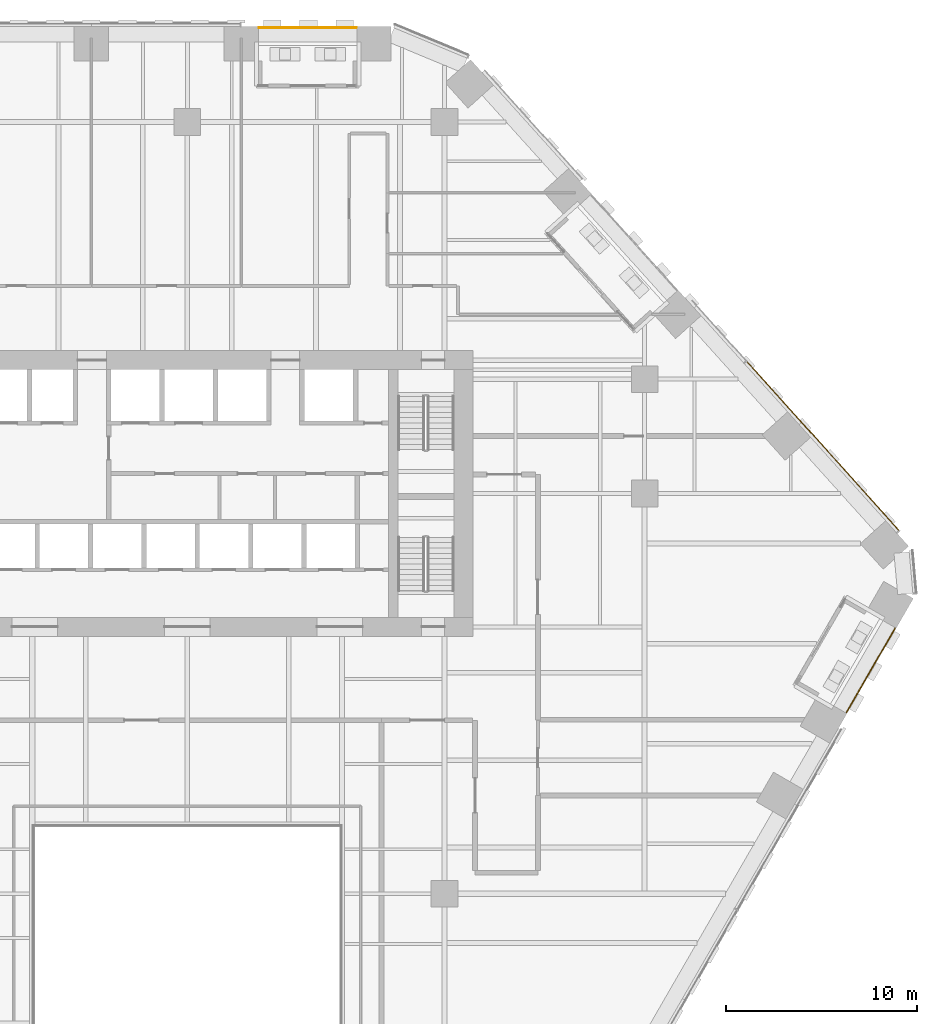
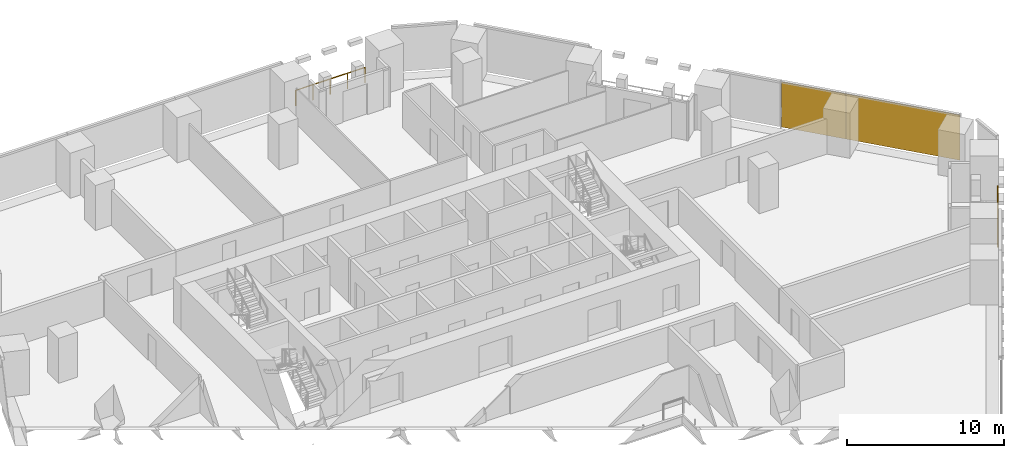
# One storey, part 30 of 31: 2 coverings, 2 railings, 1 element without a shape of its own.
"""IFC4 building model written with IfcOpenShell, lengths in metres."""

from ifc_helpers import new_model, si_unit, direction, frame, origin, origin_2d, place, context, subcontext, project, spatial, rectangle, circle, extrude, material, layer, layer_set, type_object, element, aggregate, save


model = new_model("IFC4")

# Units and contexts
model_context = context("Model", 3, precision=1e-05, world=origin(), true_north=direction((0.0, 1.0)))
body_context = subcontext(model_context, "Body", "Model", "MODEL_VIEW")
ifc_project = project(units=[si_unit("LENGTHUNIT", "METRE"), si_unit("AREAUNIT", "SQUARE_METRE"), si_unit("VOLUMEUNIT", "CUBIC_METRE"), si_unit("PLANEANGLEUNIT", "RADIAN"), si_unit("MASSUNIT", "GRAM", prefix="KILO")], contexts=[model_context])

# Site, building, storey
site_placement = place(None, origin())
site = spatial("IfcSite", under=ifc_project, at=site_placement, CompositionType="ELEMENT")
building_placement = place(site_placement, origin())
building = spatial("IfcBuilding", under=site, at=building_placement, Name="Isthmus Gate Tower", CompositionType="ELEMENT")
storey_placement = place(building_placement, frame((0.0, 0.0, 39.64990234375)))
storey = spatial("IfcBuildingStorey", under=building, at=storey_placement, Name="L07", CompositionType="ELEMENT", Elevation=39.64990234375)

# Curtain wall, coverings
ifc_material_1 = material(Name="Aluminium, pale champagne anodised", Category="aluminium")
ifc_layer_1 = layer(ifc_material_1, 0.199951171875)
ifc_layer_set_1 = layer_set([ifc_layer_1], Name="CW-1 UNITISED CURTAIN WALL 200 DEEP")
curtain_wall_type = type_object("IfcCurtainWallType", Name="CW-1 UNITISED CURTAIN WALL 200 DEEP", PredefinedType="NOTDEFINED", material=ifc_layer_set_1)
curtain_wall_placement = place(storey_placement, origin())
curtain_wall = element("IfcCurtainWall", 1, at=curtain_wall_placement, inside=storey, type_object=curtain_wall_type, Name="CW-1 NE L07", PredefinedType="NOTDEFINED")
ifc_material_2 = material(Name="Aluminium composite panel, pale champagne anodised", Category="aluminium")
ifc_layer_2 = layer(ifc_material_2, 0.0400390625)
ifc_layer_set_2 = layer_set([ifc_layer_2], Name="CW-1 PALE METAL PANEL 40")
covering_type = type_object("IfcCoveringType", Name="CW-1 PALE METAL PANEL 40", PredefinedType="CLADDING", material=ifc_layer_set_2)
covering_1_placement = place(storey_placement, frame((34.79345703125, 8.405029296875, 0.0), z_axis=(0.0, 0.0, 1.0), x_axis=(-0.669130606359, 0.743144825477, 0.0)))
covering_1 = element("IfcCovering", 2, at=covering_1_placement, type_object=covering_type, Name="CW-1 pale metal panel", PredefinedType="CLADDING", context=body_context, shape_type="SweptSolid", body=[
    extrude(rectangle(XDim=7.62939453125, YDim=0.0400390625, at=origin_2d()), origin(), (0.0, 0.0, 1.0), 3.5),
])
covering_2_placement = place(storey_placement, frame((30.80419921875, 12.835693359375, 0.0), z_axis=(0.0, 0.0, 1.0), x_axis=(-0.669130606359, 0.743144825477, 0.0)))
covering_2 = element("IfcCovering", 3, at=covering_2_placement, type_object=covering_type, Name="CW-1 pale metal panel", PredefinedType="CLADDING", context=body_context, shape_type="SweptSolid", body=[
    extrude(rectangle(XDim=4.294677734375, YDim=0.0400390625, at=origin_2d()), origin(), (0.0, 0.0, 1.0), 3.5),
])
aggregate(curtain_wall, [covering_1, covering_2])

# Railings
ifc_material_3 = material(Name="Toughened laminated glass with stainless steel posts", Category="steel")
railing_type = type_object("IfcRailingType", Name="GUARD 1200 FRAMELESS GLASS", PredefinedType="GUARDRAIL", material=ifc_material_3)
railing_1_placement = place(storey_placement, frame((8.86181640625, 31.949951171875, 0.0)))
element("IfcRailing", 4, at=railing_1_placement, inside=storey, type_object=railing_type, Name="LOGGIA GUARD", PredefinedType="GUARDRAIL", context=body_context, shape_type="SweptSolid", body=[
    extrude(circle(Radius=0.02490234375, at=origin_2d()), frame((0.0, 0.0, 1.1748046875), z_axis=(-1.0, 0.0, 0.0), x_axis=(0.0, -1.0, 0.0)), (0.0, 0.0, 1.0), 5.089599609375),
    extrude(circle(Radius=0.02490234375, at=origin_2d()), origin(), (0.0, 0.0, 1.0), 1.14990234375),
    extrude(circle(Radius=0.02490234375, at=origin_2d()), frame((-1.2724609375, 0.0, 0.0)), (0.0, 0.0, 1.0), 1.14990234375),
    extrude(circle(Radius=0.02490234375, at=origin_2d()), frame((-2.544921875, 0.0, 0.0)), (0.0, 0.0, 1.0), 1.14990234375),
    extrude(circle(Radius=0.02490234375, at=origin_2d()), frame((-3.817138671875, 0.0, 0.0)), (0.0, 0.0, 1.0), 1.14990234375),
    extrude(circle(Radius=0.02490234375, at=origin_2d()), frame((-5.089599609375, 0.0, 0.0)), (0.0, 0.0, 1.0), 1.14990234375),
])
railing_2_placement = place(storey_placement, frame((34.5927734375, -3.9833984375, 0.0)))
element("IfcRailing", 5, at=railing_2_placement, inside=storey, type_object=railing_type, Name="LOGGIA GUARD", PredefinedType="GUARDRAIL", context=body_context, shape_type="SweptSolid", body=[
    extrude(circle(Radius=0.02490234375, at=origin_2d()), frame((0.0, 0.0, 1.1748046875), z_axis=(0.500018644096, 0.866014639343, 0.0), x_axis=(-0.866014639343, 0.500018644096, 0.0)), (0.0, 0.0, 1.0), 5.089599609375),
    extrude(circle(Radius=0.02490234375, at=origin_2d()), origin(), (0.0, 0.0, 1.0), 1.14990234375),
    extrude(circle(Radius=0.02490234375, at=origin_2d()), frame((0.63623046875, 1.10205078125, 0.0)), (0.0, 0.0, 1.0), 1.14990234375),
    extrude(circle(Radius=0.02490234375, at=origin_2d()), frame((1.2724609375, 2.203857421875, 0.0)), (0.0, 0.0, 1.0), 1.14990234375),
    extrude(circle(Radius=0.02490234375, at=origin_2d()), frame((1.90869140625, 3.3056640625, 0.0)), (0.0, 0.0, 1.0), 1.14990234375),
    extrude(circle(Radius=0.02490234375, at=origin_2d()), frame((2.544921875, 4.40771484375, 0.0)), (0.0, 0.0, 1.0), 1.14990234375),
])

save(model, "model.ifc")
